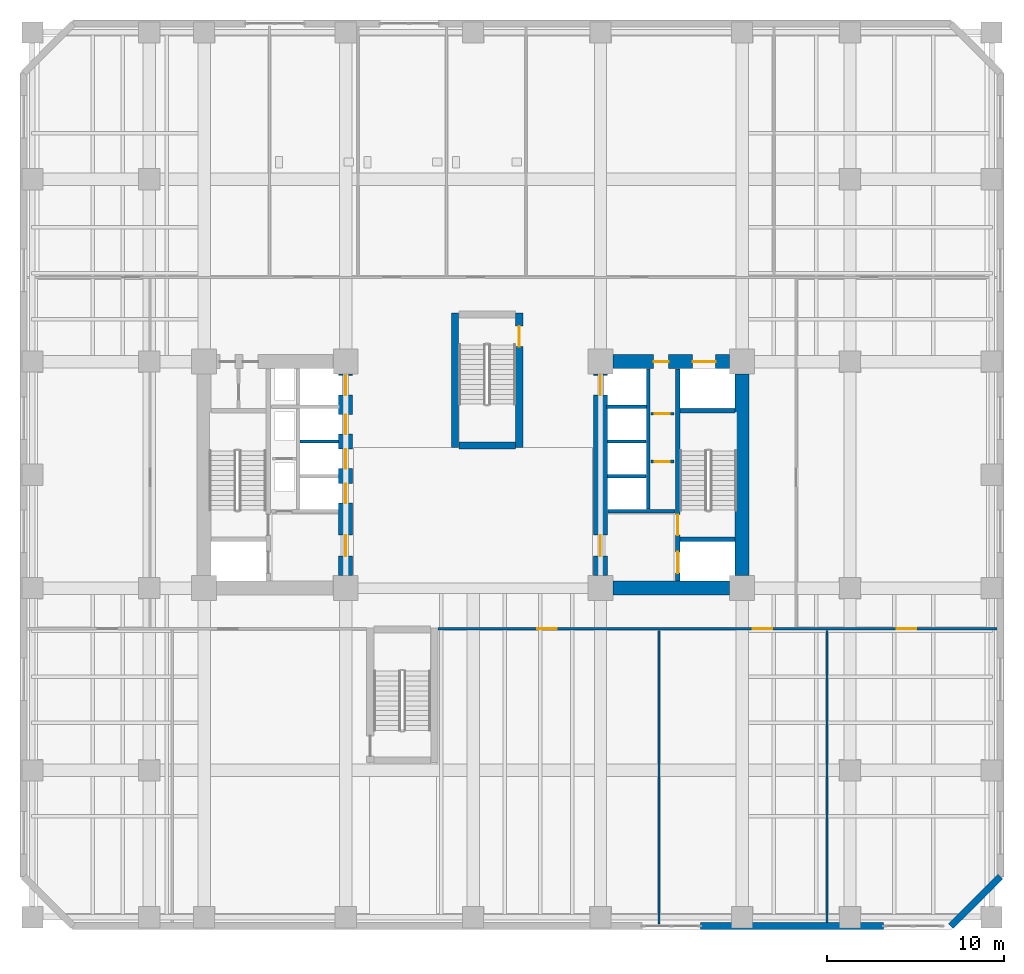
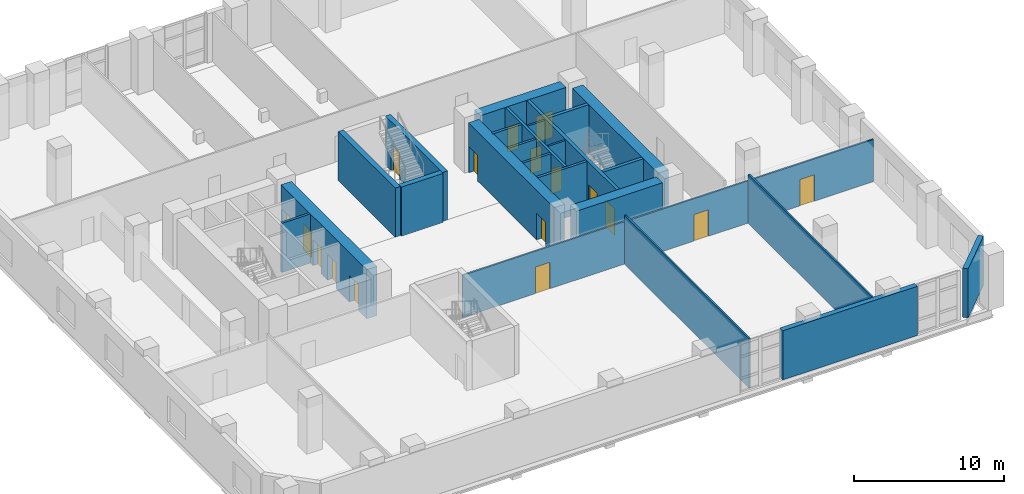
# One storey, part 7 of 15: 24 walls, 17 doors, 17 openings.
"""IFC4 building model written with IfcOpenShell, lengths in metres."""

from ifc_helpers import new_model, si_unit, direction, frame, frame_2d, origin, place, context, subcontext, project, spatial, rectangle, extrude, material, layer, layer_set, type_object, element, fill, save


model = new_model("IFC4")

# Units and contexts
model_context = context("Model", 3, precision=1e-05, world=origin(), true_north=direction((0.0, 1.0)))
body_context = subcontext(model_context, "Body", "Model", "MODEL_VIEW")
ifc_project = project(units=[si_unit("LENGTHUNIT", "METRE"), si_unit("AREAUNIT", "SQUARE_METRE"), si_unit("VOLUMEUNIT", "CUBIC_METRE"), si_unit("PLANEANGLEUNIT", "RADIAN"), si_unit("MASSUNIT", "GRAM", prefix="KILO")], contexts=[model_context])

# Site, building, storey
site_placement = place(None, origin())
site = spatial("IfcSite", under=ifc_project, at=site_placement, CompositionType="ELEMENT")
building_placement = place(site_placement, origin())
building = spatial("IfcBuilding", under=site, at=building_placement, Name="Kranthara Brick Stack", CompositionType="ELEMENT")
storey_placement = place(building_placement, frame((0.0, 0.0, 14.39990234375)))
storey = spatial("IfcBuildingStorey", under=building, at=storey_placement, Name="L03", CompositionType="ELEMENT", Elevation=14.39990234375)

# Walls
ifc_material_1 = material(Name="Kiln-fired clay brick masonry M15", Category="masonry")
ifc_layer_1 = layer(ifc_material_1, 0.3798828125)
ifc_layer_set_1 = layer_set([ifc_layer_1], Name="Kiln-fired clay brick masonry M15")
wall_type_1 = type_object("IfcWallType", Name="WL-BRK-PIER-380", PredefinedType="STANDARD", material=ifc_layer_set_1)
wall_1_placement = place(storey_placement, frame((51.199951171875, 1.7099609375, 0.0), z_axis=(0.0, 0.0, 1.0), x_axis=(-1.0, 0.0, 0.0)))
element("IfcWall", 1, at=wall_1_placement, inside=storey, type_object=wall_type_1, Name="L03 Exterior Brick Facade Wall SOUTH 1", PredefinedType="STANDARD", context=body_context, shape_type="SweptSolid", body=[
    extrude(rectangle(XDim=10.349853515625, YDim=0.3798828125, at=frame_2d((5.1748046875, 0.0))), origin(), (0.0, 0.0, 1.0), 4.0),
])
wall_2_placement = place(storey_placement, frame((57.7900390625, 4.5, 0.0), z_axis=(0.0, 0.0, 1.0), x_axis=(-0.707106781187, -0.707106781187, 0.0)))
element("IfcWall", 2, at=wall_2_placement, inside=storey, type_object=wall_type_1, Name="L03 Exterior Brick Facade Wall SE 1", PredefinedType="STANDARD", context=body_context, shape_type="SweptSolid", body=[
    extrude(rectangle(XDim=3.94580078125, YDim=0.3798828125, at=frame_2d((1.972900390625, 0.0))), origin(), (0.0, 0.0, 1.0), 4.0),
])

# Wall, openings, doors
ifc_material_2 = material(Name="Concrete C50/60", Category="concrete")
ifc_layer_2 = layer(ifc_material_2, 0.25)
ifc_layer_set_2 = layer_set([ifc_layer_2], Name="Concrete C50/60")
wall_type_2 = type_object("IfcWallType", Name="WL-CORE-250", PredefinedType="SHEAR", material=ifc_layer_set_2)
wall_3_placement = place(storey_placement, frame((39.56494140625, 21.2099609375, 0.0), z_axis=(0.0, 0.0, 1.0), x_axis=(0.0, 1.0, 0.0)))
wall_3 = element("IfcWall", 3, at=wall_3_placement, inside=storey, type_object=wall_type_2, Name="L03 East Core Stair Bearing Spine Wall", PredefinedType="SHEAR", context=body_context, shape_type="SweptSolid", body=[
    extrude(rectangle(XDim=11.97998046875, YDim=0.25, at=frame_2d((5.989990234375, 0.0))), origin(), (0.0, 0.0, 1.0), 4.0),
])
opening_1_placement = place(wall_3_placement, frame((0.43994140625, 0.0, 0.0)))
opening_1 = element("IfcOpeningElement", 4, at=opening_1_placement, cuts=wall_3, Name="Opening LD01", PredefinedType="OPENING", context=body_context, shape_type="SweptSolid", body=[
    extrude(rectangle(XDim=1.199951171875, YDim=2.14990234375, at=frame_2d((0.60009765625, 1.074951171875))), frame((0.0, 0.135009765625, 0.0), z_axis=(0.0, -1.0, 0.0), x_axis=(1.0, 0.0, 0.0)), (0.0, 0.0, 1.0), 0.27001953125),
])
opening_2_placement = place(wall_3_placement, frame((2.590087890625, 0.0, 0.0)))
opening_2 = element("IfcOpeningElement", 5, at=opening_2_placement, cuts=wall_3, Name="Opening D05", PredefinedType="OPENING", context=body_context, shape_type="SweptSolid", body=[
    extrude(rectangle(XDim=1.14990234375, YDim=2.14990234375, at=frame_2d((0.574951171875, 1.074951171875))), frame((0.0, 0.135009765625, 0.0), z_axis=(0.0, -1.0, 0.0), x_axis=(1.0, 0.0, 0.0)), (0.0, 0.0, 1.0), 0.27001953125),
])
ifc_material_3 = material(Name="Stainless steel sliding landing door", Category="steel")
door_type_1 = type_object("IfcDoorType", Name="DR-LD-FF1200", OperationType="DOUBLE_DOOR_SLIDING", PredefinedType="DOOR", material=ifc_material_3)
door_1_placement = place(opening_1_placement, origin())
door_1 = element("IfcDoor", 6, at=door_1_placement, inside=storey, type_object=door_type_1, Name="L03 Firefighting Lift FF-02 Landing Door", OperationType="DOUBLE_DOOR_SLIDING", OverallHeight=2.14990234375, OverallWidth=1.199951171875, PredefinedType="DOOR", context=body_context, shape_type="SweptSolid", body=[
    extrude(rectangle(XDim=1.199951171875, YDim=2.14990234375, at=frame_2d((0.60009765625, 1.074951171875))), frame((0.0, 0.02490234375, 0.0), z_axis=(0.0, -1.0, 0.0), x_axis=(1.0, 0.0, 0.0)), (0.0, 0.0, 1.0), 0.050048828125),
])
fill(opening_1, door_1)
ifc_material_4 = material(Name="Solid-core hardwood timber leaf in steel frame", Category="steel")
door_type_2 = type_object("IfcDoorType", Name="DR-ST-1150", OperationType="NOTDEFINED", PredefinedType="DOOR", material=ifc_material_4)
door_2_placement = place(opening_2_placement, origin())
door_2 = element("IfcDoor", 7, at=door_2_placement, inside=storey, type_object=door_type_2, Name="L03 Exit Stair ST02 Door", OperationType="SINGLE_SWING_LEFT", OverallHeight=2.14990234375, OverallWidth=1.14990234375, PredefinedType="DOOR", context=body_context, shape_type="SweptSolid", body=[
    extrude(rectangle(XDim=1.14990234375, YDim=2.14990234375, at=frame_2d((0.574951171875, 1.074951171875))), frame((0.0, 0.02490234375, 0.0), z_axis=(0.0, -1.0, 0.0), x_axis=(1.0, 0.0, 0.0)), (0.0, 0.0, 1.0), 0.050048828125),
])
fill(opening_2, door_2)

# Walls
for number, where, z_axis, x_axis, name in (
    (8, (39.68994140625, 23.570068359375, 0.0), (0.0, 0.0, 1.0), (1.0, 0.0, 0.0), "L03 East Stairwell Bearing Wall EFF"),
    (9, (39.68994140625, 30.830078125, 0.0), (0.0, 0.0, 1.0), (1.0, 0.0, 0.0), "L03 East Stairwell Bearing Wall EST"),
):
    element("IfcWall", number, at=place(storey_placement, frame(where, z_axis=z_axis, x_axis=x_axis)), inside=storey, type_object=wall_type_2, Name=name, PredefinedType="SHEAR", context=body_context, shape_type="SweptSolid", body=[
        extrude(rectangle(XDim=3.10009765625, YDim=0.25, at=frame_2d((1.550048828125, 0.0))), origin(), (0.0, 0.0, 1.0), 4.0),
    ])
ifc_material_5 = material(Name="Concrete C50/60", Category="concrete")
ifc_layer_3 = layer(ifc_material_5, 0.39990234375)
ifc_layer_set_3 = layer_set([ifc_layer_3], Name="Concrete C50/60")
wall_type_3 = type_object("IfcWallType", Name="WL-CORE-400", PredefinedType="SHEAR", material=ifc_layer_set_3)
wall_4_placement = place(storey_placement, frame((26.989990234375, 28.75, 0.0), z_axis=(0.0, 0.0, 1.0), x_axis=(0.0, 1.0, 0.0)))
element("IfcWall", 10, at=wall_4_placement, inside=storey, type_object=wall_type_3, Name="L03 Stair ST04 Bearing Wall W", PredefinedType="SHEAR", context=body_context, shape_type="SweptSolid", body=[
    extrude(rectangle(XDim=7.60009765625, YDim=0.39990234375, at=frame_2d((3.800048828125, 0.0))), origin(), (0.0, 0.0, 1.0), 4.0),
])

# Wall, opening, door
wall_5_placement = place(storey_placement, frame((30.610107421875, 28.75, 0.0), z_axis=(0.0, 0.0, 1.0), x_axis=(0.0, 1.0, 0.0)))
wall_5 = element("IfcWall", 11, at=wall_5_placement, inside=storey, type_object=wall_type_3, Name="L03 Stair ST04 Bearing Wall E", PredefinedType="SHEAR", context=body_context, shape_type="SweptSolid", body=[
    extrude(rectangle(XDim=7.60009765625, YDim=0.39990234375, at=frame_2d((3.800048828125, 0.0))), origin(), (0.0, 0.0, 1.0), 4.0),
])
opening_3_placement = place(wall_5_placement, frame((5.699951171875, 0.0, 0.0)))
opening_3 = element("IfcOpeningElement", 12, at=opening_3_placement, cuts=wall_5, Name="Opening D05", PredefinedType="OPENING", context=body_context, shape_type="SweptSolid", body=[
    extrude(rectangle(XDim=1.14990234375, YDim=2.14990234375, at=frame_2d((0.574951171875, 1.074951171875))), frame((0.0, 0.2099609375, 0.0), z_axis=(0.0, -1.0, 0.0), x_axis=(1.0, 0.0, 0.0)), (0.0, 0.0, 1.0), 0.419921875),
])
door_3_placement = place(opening_3_placement, origin())
door_3 = element("IfcDoor", 13, at=door_3_placement, inside=storey, type_object=door_type_2, Name="L03 Stair ST04 Door", OperationType="SINGLE_SWING_RIGHT", OverallHeight=2.14990234375, OverallWidth=1.14990234375, PredefinedType="DOOR", context=body_context, shape_type="SweptSolid", body=[
    extrude(rectangle(XDim=1.14990234375, YDim=2.14990234375, at=frame_2d((0.574951171875, 1.074951171875))), frame((0.0, 0.02490234375, 0.0), z_axis=(0.0, -1.0, 0.0), x_axis=(1.0, 0.0, 0.0)), (0.0, 0.0, 1.0), 0.050048828125),
])
fill(opening_3, door_3)

# Wall
wall_6_placement = place(storey_placement, frame((27.199951171875, 28.85009765625, 0.0), z_axis=(0.0, 0.0, 1.0), x_axis=(1.0, 0.0, 0.0)))
element("IfcWall", 14, at=wall_6_placement, inside=storey, type_object=wall_type_3, Name="L03 Stair ST04 Bearing Wall S", PredefinedType="SHEAR", context=body_context, shape_type="SweptSolid", body=[
    extrude(rectangle(XDim=3.199951171875, YDim=0.39990234375, at=frame_2d((1.60009765625, 0.0))), origin(), (0.0, 0.0, 1.0), 4.0),
])

# Wall, openings, doors
ifc_material_6 = material(Name="Concrete C70/85", Category="concrete")
ifc_layer_4 = layer(ifc_material_6, 0.800048828125)
ifc_layer_set_4 = layer_set([ifc_layer_4], Name="Concrete C70/85")
wall_type_4 = type_object("IfcWallType", Name="WL-CORE-800", PredefinedType="SHEAR", material=ifc_layer_set_4)
wall_7_placement = place(storey_placement, frame((20.800048828125, 21.5048828125, 0.0), z_axis=(0.0, 0.0, 1.0), x_axis=(0.0, 1.0, 0.0)))
wall_7 = element("IfcWall", 15, at=wall_7_placement, inside=storey, type_object=wall_type_4, Name="L03 West Core Shear Wall East", PredefinedType="SHEAR", context=body_context, shape_type="SweptSolid", body=[
    extrude(rectangle(XDim=11.39013671875, YDim=0.800048828125, at=frame_2d((5.695068359375, 0.0))), origin(), (0.0, 0.0, 1.0), 4.0),
])
opening_4_placement = place(wall_7_placement, frame((1.094970703125, 0.0, 0.0)))
opening_4 = element("IfcOpeningElement", 16, at=opening_4_placement, cuts=wall_7, Name="Opening D06", PredefinedType="OPENING", context=body_context, shape_type="SweptSolid", body=[
    extrude(rectangle(XDim=1.199951171875, YDim=2.14990234375, at=frame_2d((0.60009765625, 1.074951171875))), frame((0.0, 0.409912109375, 0.0), z_axis=(0.0, -1.0, 0.0), x_axis=(1.0, 0.0, 0.0)), (0.0, 0.0, 1.0), 0.820068359375),
])
opening_5_placement = place(wall_7_placement, frame((4.094970703125, 0.0, 0.0)))
opening_5 = element("IfcOpeningElement", 17, at=opening_5_placement, cuts=wall_7, Name="Opening LD02", PredefinedType="OPENING", context=body_context, shape_type="SweptSolid", body=[
    extrude(rectangle(XDim=1.10009765625, YDim=2.10009765625, at=frame_2d((0.550048828125, 1.050048828125))), frame((0.0, 0.409912109375, 0.0), z_axis=(0.0, -1.0, 0.0), x_axis=(1.0, 0.0, 0.0)), (0.0, 0.0, 1.0), 0.820068359375),
])
opening_6_placement = place(wall_7_placement, frame((6.044921875, 0.0, 0.0)))
opening_6 = element("IfcOpeningElement", 18, at=opening_6_placement, cuts=wall_7, Name="Opening LD02", PredefinedType="OPENING", context=body_context, shape_type="SweptSolid", body=[
    extrude(rectangle(XDim=1.10009765625, YDim=2.10009765625, at=frame_2d((0.550048828125, 1.050048828125))), frame((0.0, 0.409912109375, 0.0), z_axis=(0.0, -1.0, 0.0), x_axis=(1.0, 0.0, 0.0)), (0.0, 0.0, 1.0), 0.820068359375),
])
opening_7_placement = place(wall_7_placement, frame((7.9951171875, 0.0, 0.0)))
opening_7 = element("IfcOpeningElement", 19, at=opening_7_placement, cuts=wall_7, Name="Opening LD02", PredefinedType="OPENING", context=body_context, shape_type="SweptSolid", body=[
    extrude(rectangle(XDim=1.10009765625, YDim=2.10009765625, at=frame_2d((0.550048828125, 1.050048828125))), frame((0.0, 0.409912109375, 0.0), z_axis=(0.0, -1.0, 0.0), x_axis=(1.0, 0.0, 0.0)), (0.0, 0.0, 1.0), 0.820068359375),
])
opening_8_placement = place(wall_7_placement, frame((10.195068359375, 0.0, 0.0)))
opening_8 = element("IfcOpeningElement", 20, at=opening_8_placement, cuts=wall_7, Name="Opening LD02", PredefinedType="OPENING", context=body_context, shape_type="SweptSolid", body=[
    extrude(rectangle(XDim=1.10009765625, YDim=2.10009765625, at=frame_2d((0.550048828125, 1.050048828125))), frame((0.0, 0.409912109375, 0.0), z_axis=(0.0, -1.0, 0.0), x_axis=(1.0, 0.0, 0.0)), (0.0, 0.0, 1.0), 0.820068359375),
])
ifc_material_7 = material(Name="Solid-core hardwood timber leaf in steel frame", Category="steel")
door_type_3 = type_object("IfcDoorType", Name="DR-FFL-1200", OperationType="NOTDEFINED", PredefinedType="DOOR", material=ifc_material_7)
door_4_placement = place(opening_4_placement, origin())
door_4 = element("IfcDoor", 21, at=door_4_placement, inside=storey, type_object=door_type_3, Name="L03 West Firefighting Lobby Door", OperationType="SINGLE_SWING_LEFT", OverallHeight=2.14990234375, OverallWidth=1.199951171875, PredefinedType="DOOR", context=body_context, shape_type="SweptSolid", body=[
    extrude(rectangle(XDim=1.199951171875, YDim=2.14990234375, at=frame_2d((0.60009765625, 1.074951171875))), frame((0.0, 0.02490234375, 0.0), z_axis=(0.0, -1.0, 0.0), x_axis=(1.0, 0.0, 0.0)), (0.0, 0.0, 1.0), 0.050048828125),
])
fill(opening_4, door_4)
ifc_material_8 = material(Name="Stainless steel sliding landing door", Category="steel")
door_type_4 = type_object("IfcDoorType", Name="DR-LD-PL1100", OperationType="DOUBLE_DOOR_SLIDING", PredefinedType="DOOR", material=ifc_material_8)
door_5_placement = place(opening_5_placement, origin())
door_5 = element("IfcDoor", 22, at=door_5_placement, inside=storey, type_object=door_type_4, Name="L03 PL-01 Lift Landing Door", OperationType="DOUBLE_DOOR_SLIDING", OverallHeight=2.10009765625, OverallWidth=1.10009765625, PredefinedType="DOOR", context=body_context, shape_type="SweptSolid", body=[
    extrude(rectangle(XDim=1.10009765625, YDim=2.10009765625, at=frame_2d((0.550048828125, 1.050048828125))), frame((0.0, 0.02490234375, 0.0), z_axis=(0.0, -1.0, 0.0), x_axis=(1.0, 0.0, 0.0)), (0.0, 0.0, 1.0), 0.050048828125),
])
fill(opening_5, door_5)
door_6_placement = place(opening_6_placement, origin())
door_6 = element("IfcDoor", 23, at=door_6_placement, inside=storey, type_object=door_type_4, Name="L03 PL-02 Lift Landing Door", OperationType="DOUBLE_DOOR_SLIDING", OverallHeight=2.10009765625, OverallWidth=1.10009765625, PredefinedType="DOOR", context=body_context, shape_type="SweptSolid", body=[
    extrude(rectangle(XDim=1.10009765625, YDim=2.10009765625, at=frame_2d((0.550048828125, 1.050048828125))), frame((0.0, 0.02490234375, 0.0), z_axis=(0.0, -1.0, 0.0), x_axis=(1.0, 0.0, 0.0)), (0.0, 0.0, 1.0), 0.050048828125),
])
fill(opening_6, door_6)
door_7_placement = place(opening_7_placement, origin())
door_7 = element("IfcDoor", 24, at=door_7_placement, inside=storey, type_object=door_type_4, Name="L03 PL-03 Lift Landing Door", OperationType="DOUBLE_DOOR_SLIDING", OverallHeight=2.10009765625, OverallWidth=1.10009765625, PredefinedType="DOOR", context=body_context, shape_type="SweptSolid", body=[
    extrude(rectangle(XDim=1.10009765625, YDim=2.10009765625, at=frame_2d((0.550048828125, 1.050048828125))), frame((0.0, 0.02490234375, 0.0), z_axis=(0.0, -1.0, 0.0), x_axis=(1.0, 0.0, 0.0)), (0.0, 0.0, 1.0), 0.050048828125),
])
fill(opening_7, door_7)
door_8_placement = place(opening_8_placement, origin())
door_8 = element("IfcDoor", 25, at=door_8_placement, inside=storey, type_object=door_type_4, Name="L03 PL-07 Lift Landing Door", OperationType="DOUBLE_DOOR_SLIDING", OverallHeight=2.10009765625, OverallWidth=1.10009765625, PredefinedType="DOOR", context=body_context, shape_type="SweptSolid", body=[
    extrude(rectangle(XDim=1.10009765625, YDim=2.10009765625, at=frame_2d((0.550048828125, 1.050048828125))), frame((0.0, 0.02490234375, 0.0), z_axis=(0.0, -1.0, 0.0), x_axis=(1.0, 0.0, 0.0)), (0.0, 0.0, 1.0), 0.050048828125),
])
fill(opening_8, door_8)

# Walls
wall_8_placement = place(storey_placement, frame((43.199951171875, 21.5048828125, 0.0), z_axis=(0.0, 0.0, 1.0), x_axis=(0.0, 1.0, 0.0)))
element("IfcWall", 26, at=wall_8_placement, inside=storey, type_object=wall_type_4, Name="L03 East Core Shear Wall East", PredefinedType="SHEAR", context=body_context, shape_type="SweptSolid", body=[
    extrude(rectangle(XDim=11.39013671875, YDim=0.800048828125, at=frame_2d((5.695068359375, 0.0))), origin(), (0.0, 0.0, 1.0), 4.0),
])
wall_9_placement = place(storey_placement, frame((35.905029296875, 20.800048828125, 0.0), z_axis=(0.0, 0.0, 1.0), x_axis=(1.0, 0.0, 0.0)))
element("IfcWall", 27, at=wall_9_placement, inside=storey, type_object=wall_type_4, Name="L03 East Core Shear Wall South", PredefinedType="SHEAR", context=body_context, shape_type="SweptSolid", body=[
    extrude(rectangle(XDim=6.590087890625, YDim=0.800048828125, at=frame_2d((3.294921875, 0.0))), origin(), (0.0, 0.0, 1.0), 4.0),
])

# Wall, openings, doors
wall_10_placement = place(storey_placement, frame((35.905029296875, 33.60009765625, 0.0), z_axis=(0.0, 0.0, 1.0), x_axis=(1.0, 0.0, 0.0)))
wall_10 = element("IfcWall", 28, at=wall_10_placement, inside=storey, type_object=wall_type_4, Name="L03 East Core Shear Wall North", PredefinedType="SHEAR", context=body_context, shape_type="SweptSolid", body=[
    extrude(rectangle(XDim=6.590087890625, YDim=0.800048828125, at=frame_2d((3.294921875, 0.0))), origin(), (0.0, 0.0, 1.0), 4.0),
])
opening_9_placement = place(wall_10_placement, frame((4.4951171875, 0.0, 0.0)))
opening_9 = element("IfcOpeningElement", 29, at=opening_9_placement, cuts=wall_10, Name="Opening LD03", PredefinedType="OPENING", context=body_context, shape_type="SweptSolid", body=[
    extrude(rectangle(XDim=1.300048828125, YDim=2.14990234375, at=frame_2d((0.64990234375, 1.074951171875))), frame((0.0, 0.409912109375, 0.0), z_axis=(0.0, -1.0, 0.0), x_axis=(1.0, 0.0, 0.0)), (0.0, 0.0, 1.0), 0.820068359375),
])
opening_10_placement = place(wall_10_placement, frame((2.294921875, 0.0, 0.0)))
opening_10 = element("IfcOpeningElement", 30, at=opening_10_placement, cuts=wall_10, Name="Opening D10", PredefinedType="OPENING", context=body_context, shape_type="SweptSolid", body=[
    extrude(rectangle(XDim=0.85009765625, YDim=2.02001953125, at=frame_2d((0.425048828125, 1.010009765625))), frame((0.0, 0.409912109375, 0.0), z_axis=(0.0, -1.0, 0.0), x_axis=(1.0, 0.0, 0.0)), (0.0, 0.0, 1.0), 0.820068359375),
])
ifc_material_9 = material(Name="Stainless steel sliding landing door", Category="steel")
door_type_5 = type_object("IfcDoorType", Name="DR-LD-SV1300", OperationType="DOUBLE_DOOR_SLIDING", PredefinedType="DOOR", material=ifc_material_9)
door_9_placement = place(opening_9_placement, origin())
door_9 = element("IfcDoor", 31, at=door_9_placement, inside=storey, type_object=door_type_5, Name="L03 Stretcher Service Lift SV-01 Landing Door", OperationType="DOUBLE_DOOR_SLIDING", OverallHeight=2.14990234375, OverallWidth=1.300048828125, PredefinedType="DOOR", context=body_context, shape_type="SweptSolid", body=[
    extrude(rectangle(XDim=1.300048828125, YDim=2.14990234375, at=frame_2d((0.64990234375, 1.074951171875))), frame((0.0, 0.02490234375, 0.0), z_axis=(0.0, -1.0, 0.0), x_axis=(1.0, 0.0, 0.0)), (0.0, 0.0, 1.0), 0.050048828125),
])
fill(opening_9, door_9)
ifc_material_10 = material(Name="Solid-core hardwood timber leaf in steel frame", Category="steel")
door_type_6 = type_object("IfcDoorType", Name="DR-RSR-850", OperationType="NOTDEFINED", PredefinedType="DOOR", material=ifc_material_10)
door_10_placement = place(opening_10_placement, origin())
door_10 = element("IfcDoor", 32, at=door_10_placement, inside=storey, type_object=door_type_6, Name="L03 East Core Service Room Door", OperationType="SINGLE_SWING_LEFT", OverallHeight=2.02001953125, OverallWidth=0.85009765625, PredefinedType="DOOR", context=body_context, shape_type="SweptSolid", body=[
    extrude(rectangle(XDim=0.85009765625, YDim=2.02001953125, at=frame_2d((0.425048828125, 1.010009765625))), frame((0.0, 0.02490234375, 0.0), z_axis=(0.0, -1.0, 0.0), x_axis=(1.0, 0.0, 0.0)), (0.0, 0.0, 1.0), 0.050048828125),
])
fill(opening_10, door_10)

wall_11_placement = place(storey_placement, frame((35.199951171875, 21.5048828125, 0.0), z_axis=(0.0, 0.0, 1.0), x_axis=(0.0, 1.0, 0.0)))
wall_11 = element("IfcWall", 33, at=wall_11_placement, inside=storey, type_object=wall_type_4, Name="L03 East Core Shear Wall West", PredefinedType="SHEAR", context=body_context, shape_type="SweptSolid", body=[
    extrude(rectangle(XDim=11.39013671875, YDim=0.800048828125, at=frame_2d((5.695068359375, 0.0))), origin(), (0.0, 0.0, 1.0), 4.0),
])
opening_11_placement = place(wall_11_placement, frame((1.094970703125, 0.0, 0.0)))
opening_11 = element("IfcOpeningElement", 34, at=opening_11_placement, cuts=wall_11, Name="Opening D06", PredefinedType="OPENING", context=body_context, shape_type="SweptSolid", body=[
    extrude(rectangle(XDim=1.199951171875, YDim=2.14990234375, at=frame_2d((0.60009765625, 1.074951171875))), frame((0.0, 0.409912109375, 0.0), z_axis=(0.0, -1.0, 0.0), x_axis=(1.0, 0.0, 0.0)), (0.0, 0.0, 1.0), 0.820068359375),
])
opening_12_placement = place(wall_11_placement, frame((10.195068359375, 0.0, 0.0)))
opening_12 = element("IfcOpeningElement", 35, at=opening_12_placement, cuts=wall_11, Name="Opening LD02", PredefinedType="OPENING", context=body_context, shape_type="SweptSolid", body=[
    extrude(rectangle(XDim=1.10009765625, YDim=2.10009765625, at=frame_2d((0.550048828125, 1.050048828125))), frame((0.0, 0.409912109375, 0.0), z_axis=(0.0, -1.0, 0.0), x_axis=(1.0, 0.0, 0.0)), (0.0, 0.0, 1.0), 0.820068359375),
])
door_11_placement = place(opening_11_placement, origin())
door_11 = element("IfcDoor", 36, at=door_11_placement, inside=storey, type_object=door_type_3, Name="L03 East Firefighting Lobby Door", OperationType="SINGLE_SWING_RIGHT", OverallHeight=2.14990234375, OverallWidth=1.199951171875, PredefinedType="DOOR", context=body_context, shape_type="SweptSolid", body=[
    extrude(rectangle(XDim=1.199951171875, YDim=2.14990234375, at=frame_2d((0.60009765625, 1.074951171875))), frame((0.0, 0.02490234375, 0.0), z_axis=(0.0, -1.0, 0.0), x_axis=(1.0, 0.0, 0.0)), (0.0, 0.0, 1.0), 0.050048828125),
])
fill(opening_11, door_11)
door_12_placement = place(opening_12_placement, origin())
door_12 = element("IfcDoor", 37, at=door_12_placement, inside=storey, type_object=door_type_4, Name="L03 PL-08 Lift Landing Door", OperationType="DOUBLE_DOOR_SLIDING", OverallHeight=2.10009765625, OverallWidth=1.10009765625, PredefinedType="DOOR", context=body_context, shape_type="SweptSolid", body=[
    extrude(rectangle(XDim=1.10009765625, YDim=2.10009765625, at=frame_2d((0.550048828125, 1.050048828125))), frame((0.0, 0.02490234375, 0.0), z_axis=(0.0, -1.0, 0.0), x_axis=(1.0, 0.0, 0.0)), (0.0, 0.0, 1.0), 0.050048828125),
])
fill(opening_12, door_12)

ifc_material_11 = material(Name="Acoustic gypsum plasterboard partition", Category="other")
ifc_layer_5 = layer(ifc_material_11, 0.1201171875)
ifc_layer_set_5 = layer_set([ifc_layer_5], Name="Acoustic gypsum plasterboard partition")
wall_type_5 = type_object("IfcWallType", Name="WL-PART-120", PredefinedType="PARTITIONING", material=ifc_layer_set_5)
wall_12_placement = place(storey_placement, frame((26.014892578125, 18.5, 0.0), z_axis=(0.0, 0.0, 1.0), x_axis=(1.0, 0.0, 0.0)))
wall_12 = element("IfcWall", 38, at=wall_12_placement, inside=storey, type_object=wall_type_5, Name="L03 Interior Partition 006", PredefinedType="PARTITIONING", context=body_context, shape_type="SweptSolid", body=[
    extrude(rectangle(XDim=31.580078125, YDim=0.1201171875, at=frame_2d((15.7900390625, 0.0))), origin(), (0.0, 0.0, 1.0), 3.43505859375),
])
opening_13_placement = place(wall_12_placement, frame((5.610107421875, 0.0, 0.0)))
opening_13 = element("IfcOpeningElement", 39, at=opening_13_placement, cuts=wall_12, Name="Opening D11", PredefinedType="OPENING", context=body_context, shape_type="SweptSolid", body=[
    extrude(rectangle(XDim=1.10009765625, YDim=2.14990234375, at=frame_2d((0.550048828125, 1.074951171875))), frame((0.0, 0.070068359375, 0.0), z_axis=(0.0, -1.0, 0.0), x_axis=(1.0, 0.0, 0.0)), (0.0, 0.0, 1.0), 0.14013671875),
])
opening_14_placement = place(wall_12_placement, frame((17.784912109375, 0.0, 0.0)))
opening_14 = element("IfcOpeningElement", 40, at=opening_14_placement, cuts=wall_12, Name="Opening D11", PredefinedType="OPENING", context=body_context, shape_type="SweptSolid", body=[
    extrude(rectangle(XDim=1.10009765625, YDim=2.14990234375, at=frame_2d((0.550048828125, 1.074951171875))), frame((0.0, 0.070068359375, 0.0), z_axis=(0.0, -1.0, 0.0), x_axis=(1.0, 0.0, 0.0)), (0.0, 0.0, 1.0), 0.14013671875),
])
opening_15_placement = place(wall_12_placement, frame((25.93505859375, 0.0, 0.0)))
opening_15 = element("IfcOpeningElement", 41, at=opening_15_placement, cuts=wall_12, Name="Opening D11", PredefinedType="OPENING", context=body_context, shape_type="SweptSolid", body=[
    extrude(rectangle(XDim=1.10009765625, YDim=2.14990234375, at=frame_2d((0.550048828125, 1.074951171875))), frame((0.0, 0.070068359375, 0.0), z_axis=(0.0, -1.0, 0.0), x_axis=(1.0, 0.0, 0.0)), (0.0, 0.0, 1.0), 0.14013671875),
])
ifc_material_12 = material(Name="Solid-core hardwood timber leaf in steel frame", Category="steel")
door_type_7 = type_object("IfcDoorType", Name="DR-INT-1100", OperationType="NOTDEFINED", PredefinedType="DOOR", material=ifc_material_12)
door_13_placement = place(opening_13_placement, origin())
door_13 = element("IfcDoor", 42, at=door_13_placement, inside=storey, type_object=door_type_7, Name="L03 Client Dining Salon 07", OperationType="SINGLE_SWING_LEFT", OverallHeight=2.14990234375, OverallWidth=1.10009765625, PredefinedType="DOOR", context=body_context, shape_type="SweptSolid", body=[
    extrude(rectangle(XDim=1.10009765625, YDim=2.14990234375, at=frame_2d((0.550048828125, 1.074951171875))), frame((0.0, 0.02490234375, 0.0), z_axis=(0.0, -1.0, 0.0), x_axis=(1.0, 0.0, 0.0)), (0.0, 0.0, 1.0), 0.050048828125),
])
fill(opening_13, door_13)
door_14_placement = place(opening_14_placement, origin())
door_14 = element("IfcDoor", 43, at=door_14_placement, inside=storey, type_object=door_type_7, Name="L03 Reading Library Lounge 08", OperationType="SINGLE_SWING_RIGHT", OverallHeight=2.14990234375, OverallWidth=1.10009765625, PredefinedType="DOOR", context=body_context, shape_type="SweptSolid", body=[
    extrude(rectangle(XDim=1.10009765625, YDim=2.14990234375, at=frame_2d((0.550048828125, 1.074951171875))), frame((0.0, 0.02490234375, 0.0), z_axis=(0.0, -1.0, 0.0), x_axis=(1.0, 0.0, 0.0)), (0.0, 0.0, 1.0), 0.050048828125),
])
fill(opening_14, door_14)
door_15_placement = place(opening_15_placement, origin())
door_15 = element("IfcDoor", 44, at=door_15_placement, inside=storey, type_object=door_type_7, Name="L03 Briefing Forum 09", OperationType="SINGLE_SWING_LEFT", OverallHeight=2.14990234375, OverallWidth=1.10009765625, PredefinedType="DOOR", context=body_context, shape_type="SweptSolid", body=[
    extrude(rectangle(XDim=1.10009765625, YDim=2.14990234375, at=frame_2d((0.550048828125, 1.074951171875))), frame((0.0, 0.02490234375, 0.0), z_axis=(0.0, -1.0, 0.0), x_axis=(1.0, 0.0, 0.0)), (0.0, 0.0, 1.0), 0.050048828125),
])
fill(opening_15, door_15)

# Walls
wall_13_placement = place(storey_placement, frame((38.5, 1.824951171875, 0.0), z_axis=(0.0, 0.0, 1.0), x_axis=(0.0, 1.0, 0.0)))
element("IfcWall", 45, at=wall_13_placement, inside=storey, type_object=wall_type_5, Name="L03 Interior Partition 008", PredefinedType="PARTITIONING", context=body_context, shape_type="SweptSolid", body=[
    extrude(rectangle(XDim=16.574951171875, YDim=0.1201171875, at=frame_2d((8.28759765625, 0.0))), origin(), (0.0, 0.0, 1.0), 4.0),
])
wall_14_placement = place(storey_placement, frame((48.0, 1.905029296875, 0.0), z_axis=(0.0, 0.0, 1.0), x_axis=(0.0, 1.0, 0.0)))
element("IfcWall", 46, at=wall_14_placement, inside=storey, type_object=wall_type_5, Name="L03 Interior Partition 009", PredefinedType="PARTITIONING", context=body_context, shape_type="SweptSolid", body=[
    extrude(rectangle(XDim=16.494873046875, YDim=0.1201171875, at=frame_2d((8.24755859375, 0.0))), origin(), (0.0, 0.0, 1.0), 4.0),
])

# Wall, opening, door
ifc_material_13 = material(Name="Fire-rated gypsum board partition", Category="other")
ifc_layer_6 = layer(ifc_material_13, 0.14990234375)
ifc_layer_set_6 = layer_set([ifc_layer_6], Name="Fire-rated gypsum board partition")
wall_type_6 = type_object("IfcWallType", Name="WL-PART-150", PredefinedType="PARTITIONING", material=ifc_layer_set_6)
wall_15_placement = place(storey_placement, frame((38.050048828125, 27.949951171875, 0.0), z_axis=(0.0, 0.0, 1.0), x_axis=(1.0, 0.0, 0.0)))
wall_15 = element("IfcWall", 47, at=wall_15_placement, inside=storey, type_object=wall_type_6, Name="L03 Interior Partition 002", PredefinedType="PARTITIONING", context=body_context, shape_type="SweptSolid", body=[
    extrude(rectangle(XDim=1.300048828125, YDim=0.14990234375, at=frame_2d((0.64990234375, 0.0))), origin(), (0.0, 0.0, 1.0), 4.0),
])
opening_16_placement = place(wall_15_placement, frame((0.219970703125, 0.0, 0.0)))
opening_16 = element("IfcOpeningElement", 48, at=opening_16_placement, cuts=wall_15, Name="Opening D10", PredefinedType="OPENING", context=body_context, shape_type="SweptSolid", body=[
    extrude(rectangle(XDim=0.85009765625, YDim=2.02001953125, at=frame_2d((0.425048828125, 1.010009765625))), frame((0.0, 0.0849609375, 0.0), z_axis=(0.0, -1.0, 0.0), x_axis=(1.0, 0.0, 0.0)), (0.0, 0.0, 1.0), 0.169921875),
])
door_16_placement = place(opening_16_placement, origin())
door_16 = element("IfcDoor", 49, at=door_16_placement, inside=storey, type_object=door_type_6, Name="L03 Riser Door 1 02", OperationType="SINGLE_SWING_RIGHT", OverallHeight=2.02001953125, OverallWidth=0.85009765625, PredefinedType="DOOR", context=body_context, shape_type="SweptSolid", body=[
    extrude(rectangle(XDim=0.85009765625, YDim=2.02001953125, at=frame_2d((0.425048828125, 1.010009765625))), frame((0.0, 0.02490234375, 0.0), z_axis=(0.0, -1.0, 0.0), x_axis=(1.0, 0.0, 0.0)), (0.0, 0.0, 1.0), 0.050048828125),
])
fill(opening_16, door_16)

wall_16_placement = place(storey_placement, frame((38.050048828125, 30.64990234375, 0.0), z_axis=(0.0, 0.0, 1.0), x_axis=(1.0, 0.0, 0.0)))
wall_16 = element("IfcWall", 50, at=wall_16_placement, inside=storey, type_object=wall_type_6, Name="L03 Interior Partition 003", PredefinedType="PARTITIONING", context=body_context, shape_type="SweptSolid", body=[
    extrude(rectangle(XDim=1.300048828125, YDim=0.14990234375, at=frame_2d((0.64990234375, 0.0))), origin(), (0.0, 0.0, 1.0), 4.0),
])
opening_17_placement = place(wall_16_placement, frame((0.219970703125, 0.0, 0.0)))
opening_17 = element("IfcOpeningElement", 51, at=opening_17_placement, cuts=wall_16, Name="Opening D10", PredefinedType="OPENING", context=body_context, shape_type="SweptSolid", body=[
    extrude(rectangle(XDim=0.85009765625, YDim=2.02001953125, at=frame_2d((0.425048828125, 1.010009765625))), frame((0.0, 0.0849609375, 0.0), z_axis=(0.0, -1.0, 0.0), x_axis=(1.0, 0.0, 0.0)), (0.0, 0.0, 1.0), 0.169921875),
])
door_17_placement = place(opening_17_placement, origin())
door_17 = element("IfcDoor", 52, at=door_17_placement, inside=storey, type_object=door_type_6, Name="L03 Riser Door 2 03", OperationType="SINGLE_SWING_LEFT", OverallHeight=2.02001953125, OverallWidth=0.85009765625, PredefinedType="DOOR", context=body_context, shape_type="SweptSolid", body=[
    extrude(rectangle(XDim=0.85009765625, YDim=2.02001953125, at=frame_2d((0.425048828125, 1.010009765625))), frame((0.0, 0.02490234375, 0.0), z_axis=(0.0, -1.0, 0.0), x_axis=(1.0, 0.0, 0.0)), (0.0, 0.0, 1.0), 0.050048828125),
])
fill(opening_17, door_17)

# Walls
ifc_material_14 = material(Name="Gypsum plasterboard on acoustic twin stud", Category="other")
ifc_layer_7 = layer(ifc_material_14, 0.179931640625)
ifc_layer_set_7 = layer_set([ifc_layer_7], Name="Gypsum plasterboard on acoustic twin stud")
wall_type_7 = type_object("IfcWallType", Name="WL-PART-180", PredefinedType="PARTITIONING", material=ifc_layer_set_7)
for number, where, z_axis, x_axis, name in (
    (53, (18.219970703125, 29.080078125, 0.0), (0.0, 0.0, 1.0), (1.0, 0.0, 0.0), "L03 West Hoistway Wall WH2"),
    (54, (35.610107421875, 27.1201171875, 0.0), (0.0, 0.0, 1.0), (1.0, 0.0, 0.0), "L03 East Hoistway Wall EH1"),
    (55, (35.610107421875, 29.080078125, 0.0), (0.0, 0.0, 1.0), (1.0, 0.0, 0.0), "L03 East Hoistway Wall EH2"),
):
    element("IfcWall", number, at=place(storey_placement, frame(where, z_axis=z_axis, x_axis=x_axis)), inside=storey, type_object=wall_type_7, Name=name, PredefinedType="PARTITIONING", context=body_context, shape_type="SweptSolid", body=[
        extrude(rectangle(XDim=2.169921875, YDim=0.179931640625, at=frame_2d((1.0849609375, 0.0))), origin(), (0.0, 0.0, 1.0), 4.0),
    ])
ifc_material_15 = material(Name="Concrete C40/50", Category="concrete")
ifc_layer_8 = layer(ifc_material_15, 0.199951171875)
ifc_layer_set_8 = layer_set([ifc_layer_8], Name="Concrete C40/50")
wall_type_8 = type_object("IfcWallType", Name="WL-PART-200", PredefinedType="SOLIDWALL", material=ifc_layer_set_8)
wall_17_placement = place(storey_placement, frame((35.610107421875, 25.14990234375, 0.0), z_axis=(0.0, 0.0, 1.0), x_axis=(1.0, 0.0, 0.0)))
element("IfcWall", 56, at=wall_17_placement, inside=storey, type_object=wall_type_8, Name="L03 East Core Cross Wall EFL", PredefinedType="SOLIDWALL", context=body_context, shape_type="SweptSolid", body=[
    extrude(rectangle(XDim=3.789794921875, YDim=0.199951171875, at=frame_2d((1.89501953125, 0.0))), origin(), (0.0, 0.0, 1.0), 4.0),
])
wall_18_placement = place(storey_placement, frame((35.550048828125, 31.050048828125, 0.0), z_axis=(0.0, 0.0, 1.0), x_axis=(1.0, 0.0, 0.0)))
element("IfcWall", 57, at=wall_18_placement, inside=storey, type_object=wall_type_8, Name="L03 East Core Cross Wall EE4", PredefinedType="SOLIDWALL", context=body_context, shape_type="SweptSolid", body=[
    extrude(rectangle(XDim=2.25, YDim=0.199951171875, at=frame_2d((1.125, 0.0))), origin(), (0.0, 0.0, 1.0), 4.0),
])
wall_19_placement = place(storey_placement, frame((37.89990234375, 25.27001953125, 0.0), z_axis=(0.0, 0.0, 1.0), x_axis=(0.0, 1.0, 0.0)))
element("IfcWall", 58, at=wall_19_placement, inside=storey, type_object=wall_type_8, Name="L03 East Core Cross Wall ESV", PredefinedType="SOLIDWALL", context=body_context, shape_type="SweptSolid", body=[
    extrude(rectangle(XDim=7.919921875, YDim=0.199951171875, at=frame_2d((3.9599609375, 0.0))), origin(), (0.0, 0.0, 1.0), 4.0),
])

save(model, "model.ifc")
